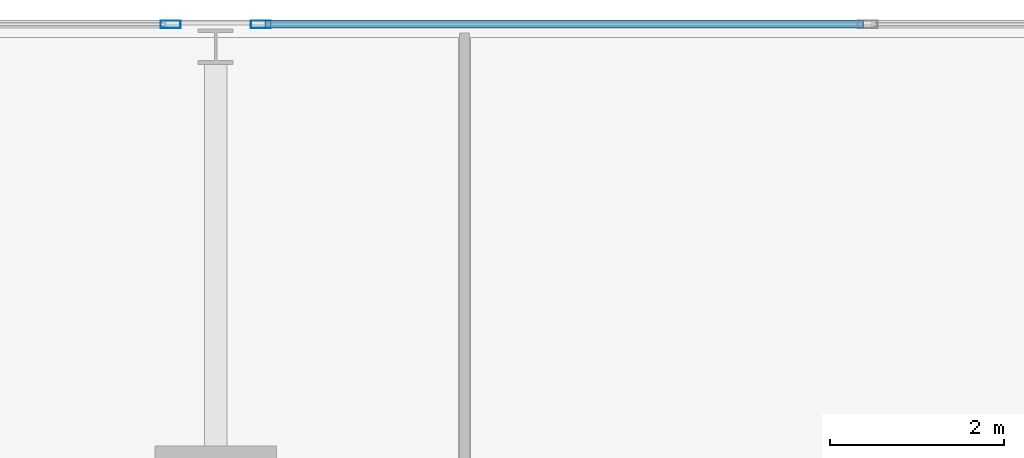
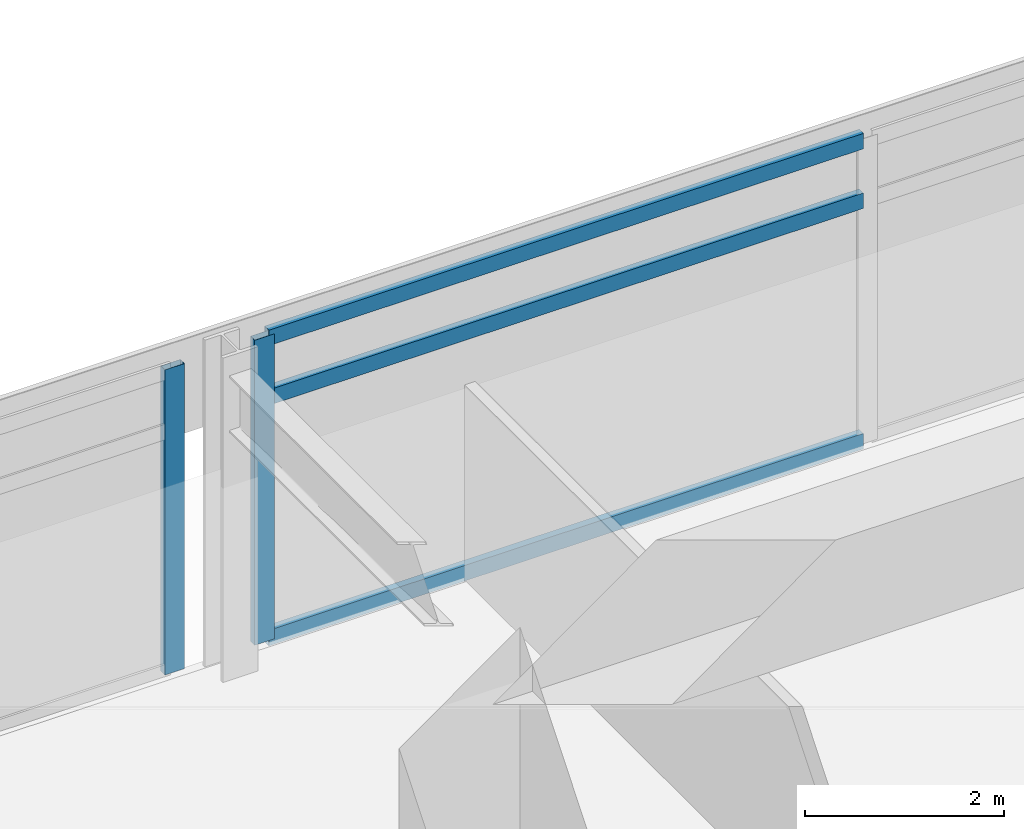
# One storey, part 8 of 22: 5 members, 2 elements without a shape of their own.
"""IFC4 building model written with IfcOpenShell, lengths in metres."""

from ifc_helpers import new_model, si_unit, direction, frame, origin, origin_2d, place, context, subcontext, project, spatial, hollow_rectangle, extrude, material, material_profile, profile_set, type_object, element, aggregate, save


model = new_model("IFC4")

# Units and contexts
model_context = context("Model", 3, precision=1e-05, world=origin(), true_north=direction((0.0, 1.0)))
body_context = subcontext(model_context, "Body", "Model", "MODEL_VIEW")
ifc_project = project(units=[si_unit("LENGTHUNIT", "METRE"), si_unit("AREAUNIT", "SQUARE_METRE"), si_unit("VOLUMEUNIT", "CUBIC_METRE"), si_unit("PLANEANGLEUNIT", "RADIAN"), si_unit("MASSUNIT", "GRAM", prefix="KILO")], contexts=[model_context])

# Site, building, storey
site_placement = place(None, origin())
site = spatial("IfcSite", under=ifc_project, at=site_placement, CompositionType="ELEMENT")
building_placement = place(site_placement, origin())
building = spatial("IfcBuilding", under=site, at=building_placement, Name="Kovane Verandah Tower", CompositionType="ELEMENT")
storey_placement = place(building_placement, frame((0.0, 0.0, 225.199951171875)))
storey = spatial("IfcBuildingStorey", under=building, at=storey_placement, Name="L52", CompositionType="ELEMENT", Elevation=225.199951171875)

# Curtain wall, member
ifc_material_1 = material(Name="Champagne Anodised Aluminium Frame with Low-E Clear Laminated Glass", Category="aluminium")
curtain_wall_type = type_object("IfcCurtainWallType", Name="CW-SYS-03-MID", PredefinedType="NOTDEFINED", material=ifc_material_1)
curtain_wall_1_placement = place(storey_placement, origin())
curtain_wall_1 = element("IfcCurtainWall", 1, at=curtain_wall_1_placement, inside=storey, type_object=curtain_wall_type, Name="L52 N Unitised Curtain Wall-2", PredefinedType="NOTDEFINED")
ifc_material_2 = material(Name="Champagne Anodised Aluminium 6063-T6", Category="aluminium")
ifc_material_profile_1 = material_profile(ifc_material_2, hollow_rectangle(XDim=0.0849609375, YDim=0.22998046875, WallThickness=0.00390625, at=origin_2d()), Name="AL85x230x4")
ifc_profile_set_1 = profile_set([ifc_material_profile_1], Name="Champagne Anodised Aluminium 6063-T6")
member_type_1 = type_object("IfcMemberType", Name="CW-MUL-85x230", PredefinedType="MULLION", material=ifc_profile_set_1)
member_1_placement = place(storey_placement, frame((29.52001953125, 49.75634765625, 0.02001953125), z_axis=(0.0, 0.0, 1.0), x_axis=(0.0, 1.0, 0.0)))
member_1 = element("IfcMember", 2, at=member_1_placement, type_object=member_type_1, Name="L52 N Unitised Curtain Wall-2 Mullion 4", PredefinedType="MULLION", context=body_context, shape_type="SweptSolid", body=[
    extrude(hollow_rectangle(XDim=0.0849609375, YDim=0.22998046875, WallThickness=0.00390625, at=origin_2d()), origin(), (0.0, 0.0, 1.0), 3.735107421875),
])

curtain_wall_2_placement = place(storey_placement, origin())
curtain_wall_2 = element("IfcCurtainWall", 3, at=curtain_wall_2_placement, inside=storey, type_object=curtain_wall_type, Name="L52 N Unitised Curtain Wall-3", PredefinedType="NOTDEFINED")
member_2_placement = place(storey_placement, frame((28.47998046875, 49.75634765625, 0.02001953125), z_axis=(0.0, 0.0, 1.0), x_axis=(0.0, 1.0, 0.0)))
member_2 = element("IfcMember", 4, at=member_2_placement, type_object=member_type_1, Name="L52 N Unitised Curtain Wall-3 Mullion 1", PredefinedType="MULLION", context=body_context, shape_type="SweptSolid", body=[
    extrude(hollow_rectangle(XDim=0.0849609375, YDim=0.22998046875, WallThickness=0.00390625, at=origin_2d()), origin(), (0.0, 0.0, 1.0), 3.735107421875),
])
aggregate(curtain_wall_2, [member_2])

# Member
ifc_material_profile_2 = material_profile(ifc_material_2, hollow_rectangle(XDim=0.0849609375, YDim=0.18994140625, WallThickness=0.00390625, at=origin_2d()), Name="AL85x190x4")
ifc_profile_set_2 = profile_set([ifc_material_profile_2], Name="Champagne Anodised Aluminium 6063-T6")
member_type_2 = type_object("IfcMemberType", Name="CW-TRN-85x190", PredefinedType="USERDEFINED", material=ifc_profile_set_2)
member_3_placement = place(storey_placement, frame((36.456787109375, 49.75634765625, 0.050048828125), z_axis=(-1.0, 0.0, 0.0), x_axis=(0.0, -1.0, 0.0)))
member_3 = element("IfcMember", 5, at=member_3_placement, type_object=member_type_2, Name="L52 N Unitised Curtain Wall-2 Transom TB Bay 3", ObjectType="TRANSOM", PredefinedType="USERDEFINED", context=body_context, shape_type="SweptSolid", body=[
    extrude(hollow_rectangle(XDim=0.0849609375, YDim=0.18994140625, WallThickness=0.00390625, at=origin_2d()), origin(), (0.0, 0.0, 1.0), 6.88671875),
])

member_4_placement = place(storey_placement, frame((36.456787109375, 49.75634765625, 2.9951171875), z_axis=(-1.0, 0.0, 0.0), x_axis=(0.0, -1.0, 0.0)))
member_4 = element("IfcMember", 6, at=member_4_placement, type_object=member_type_2, Name="L52 N Unitised Curtain Wall-2 Transom TM Bay 3", ObjectType="TRANSOM", PredefinedType="USERDEFINED", context=body_context, shape_type="SweptSolid", body=[
    extrude(hollow_rectangle(XDim=0.0849609375, YDim=0.18994140625, WallThickness=0.00390625, at=origin_2d()), origin(), (0.0, 0.0, 1.0), 6.88671875),
])

member_5_placement = place(storey_placement, frame((36.456787109375, 49.75634765625, 3.72509765625), z_axis=(-1.0, 0.0, 0.0), x_axis=(0.0, -1.0, 0.0)))
member_5 = element("IfcMember", 7, at=member_5_placement, type_object=member_type_2, Name="L52 N Unitised Curtain Wall-2 Transom TT Bay 3", ObjectType="TRANSOM", PredefinedType="USERDEFINED", context=body_context, shape_type="SweptSolid", body=[
    extrude(hollow_rectangle(XDim=0.0849609375, YDim=0.18994140625, WallThickness=0.00390625, at=origin_2d()), origin(), (0.0, 0.0, 1.0), 6.88671875),
])

aggregate(curtain_wall_1, [member_1, member_3, member_4, member_5])

save(model, "model.ifc")
